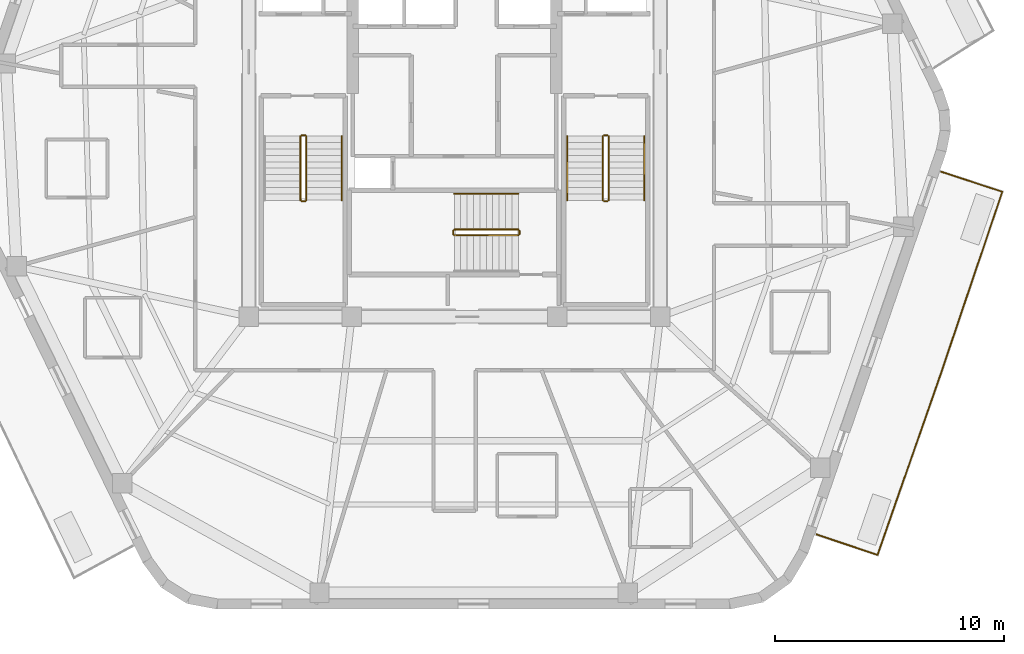
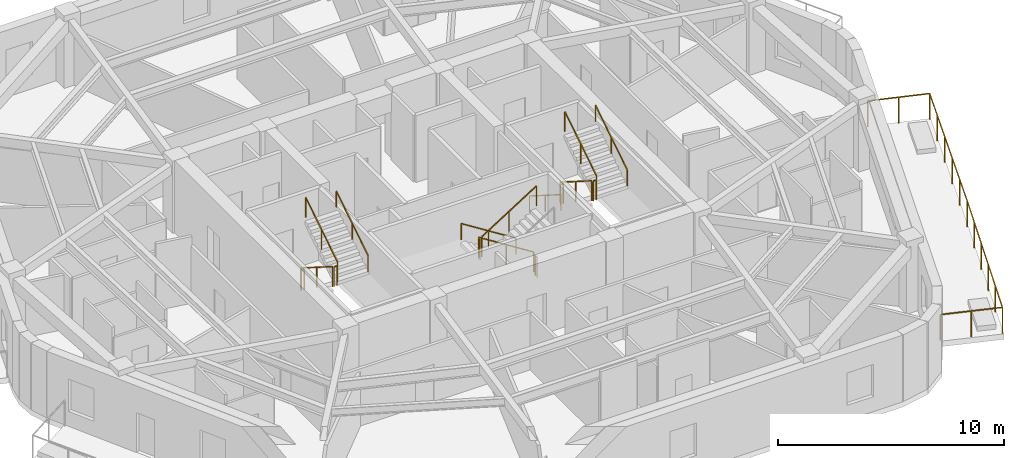
# One storey, part 8 of 9: 17 railings.
"""IFC4 building model written with IfcOpenShell, lengths in metres."""

from ifc_helpers import new_model, si_unit, direction, frame, origin, origin_2d, place, context, subcontext, project, spatial, rectangle, extrude, material, layer, layer_set, type_object, element, save


model = new_model("IFC4")

# Units and contexts
model_context = context("Model", 3, precision=1e-05, world=origin(), true_north=direction((0.0, 1.0)))
body_context = subcontext(model_context, "Body", "Model", "MODEL_VIEW")
ifc_project = project(units=[si_unit("LENGTHUNIT", "METRE"), si_unit("AREAUNIT", "SQUARE_METRE"), si_unit("VOLUMEUNIT", "CUBIC_METRE"), si_unit("PLANEANGLEUNIT", "RADIAN"), si_unit("MASSUNIT", "GRAM", prefix="KILO")], contexts=[model_context])

# Site, building, storey
site_placement = place(None, origin())
site = spatial("IfcSite", under=ifc_project, at=site_placement, CompositionType="ELEMENT")
building_placement = place(site_placement, origin())
building = spatial("IfcBuilding", under=site, at=building_placement, Name="Kilnhurst Terrace Hotel", CompositionType="ELEMENT")
storey_placement = place(building_placement, frame((0.0, 0.0, 273.0)))
storey = spatial("IfcBuildingStorey", under=building, at=storey_placement, Name="L68", CompositionType="ELEMENT", Elevation=273.0)

# Railings
ifc_material_1 = material(Name="Laminated SentryGlas and Stainless Steel AISI 316L Balustrade", Category="steel")
ifc_layer_1 = layer(ifc_material_1, 0.070068359375, Name="Laminated SentryGlas and Stainless Steel AISI 316L Balustrade")
ifc_layer_set_1 = layer_set([ifc_layer_1], Name="Laminated SentryGlas and Stainless Steel AISI 316L Balustrade")
railing_type_1 = type_object("IfcRailingType", Name="RLG-BAL-1420", PredefinedType="BALUSTRADE", material=ifc_layer_set_1)
railing_1_placement = place(storey_placement, frame((21.298828125, -1.166748046875, 0.0)))
element("IfcRailing", 1, at=railing_1_placement, inside=storey, type_object=railing_type_1, Name="L68 Exterior Terrace Guardrail BAL-L1A.1", PredefinedType="BALUSTRADE", context=body_context, shape_type="SweptSolid", body=[
    extrude(rectangle(XDim=0.048095703125, YDim=0.048095703125, at=origin_2d()), frame((0.0, 0.0, 1.39599609375), z_axis=(0.950394786916, -0.311046216827, 0.0), x_axis=(0.311046216827, 0.950394786916, 0.0)), (0.0, 0.0, 1.0), 2.80126953125),
    extrude(rectangle(XDim=0.048095703125, YDim=0.048095703125, at=origin_2d()), frame((2.662353515625, -0.871337890625, 1.39599609375), z_axis=(-0.319895813217, -0.94745272636, 0.0), x_axis=(0.94745272636, -0.319895813217, 0.0)), (0.0, 0.0, 1.0), 8.44091796875),
    extrude(rectangle(XDim=0.048095703125, YDim=0.048095703125, at=origin_2d()), frame((-0.037841796875, -8.86865234375, 1.39599609375), z_axis=(-0.329893619994, -0.944018113962, 0.0), x_axis=(0.944018113962, -0.329893619994, 0.0)), (0.0, 0.0, 1.0), 8.356689453125),
    extrude(rectangle(XDim=0.048095703125, YDim=0.048095703125, at=origin_2d()), frame((-2.794677734375, -16.757568359375, 1.39599609375), z_axis=(-0.948082201611, 0.318025374757, 0.0), x_axis=(-0.318025374757, -0.948082201611, 0.0)), (0.0, 0.0, 1.0), 2.810546875),
    extrude(rectangle(XDim=0.0419921875, YDim=0.0419921875, at=origin_2d()), origin(), (0.0, 0.0, 1.0), 1.371826171875),
    extrude(rectangle(XDim=0.0419921875, YDim=0.0419921875, at=origin_2d()), frame((1.3310546875, -0.435546875, 0.0)), (0.0, 0.0, 1.0), 1.371826171875),
    extrude(rectangle(XDim=0.0419921875, YDim=0.0419921875, at=origin_2d()), frame((2.662353515625, -0.871337890625, 0.0)), (0.0, 0.0, 1.0), 1.371826171875),
    extrude(rectangle(XDim=0.0419921875, YDim=0.0419921875, at=origin_2d()), frame((2.122314453125, -2.470703125, 0.0)), (0.0, 0.0, 1.0), 1.371826171875),
    extrude(rectangle(XDim=0.0419921875, YDim=0.0419921875, at=origin_2d()), frame((1.582275390625, -4.0703125, 0.0)), (0.0, 0.0, 1.0), 1.371826171875),
    extrude(rectangle(XDim=0.0419921875, YDim=0.0419921875, at=origin_2d()), frame((1.042236328125, -5.669677734375, 0.0)), (0.0, 0.0, 1.0), 1.371826171875),
    extrude(rectangle(XDim=0.0419921875, YDim=0.0419921875, at=origin_2d()), frame((0.502197265625, -7.269287109375, 0.0)), (0.0, 0.0, 1.0), 1.371826171875),
    extrude(rectangle(XDim=0.0419921875, YDim=0.0419921875, at=origin_2d()), frame((-0.037841796875, -8.86865234375, 0.0)), (0.0, 0.0, 1.0), 1.371826171875),
    extrude(rectangle(XDim=0.0419921875, YDim=0.0419921875, at=origin_2d()), frame((-0.589111328125, -10.446533203125, 0.0)), (0.0, 0.0, 1.0), 1.371826171875),
    extrude(rectangle(XDim=0.0419921875, YDim=0.0419921875, at=origin_2d()), frame((-1.140625, -12.024169921875, 0.0)), (0.0, 0.0, 1.0), 1.371826171875),
    extrude(rectangle(XDim=0.0419921875, YDim=0.0419921875, at=origin_2d()), frame((-1.69189453125, -13.60205078125, 0.0)), (0.0, 0.0, 1.0), 1.371826171875),
    extrude(rectangle(XDim=0.0419921875, YDim=0.0419921875, at=origin_2d()), frame((-2.243408203125, -15.1796875, 0.0)), (0.0, 0.0, 1.0), 1.371826171875),
    extrude(rectangle(XDim=0.0419921875, YDim=0.0419921875, at=origin_2d()), frame((-2.794677734375, -16.757568359375, 0.0)), (0.0, 0.0, 1.0), 1.371826171875),
    extrude(rectangle(XDim=0.0419921875, YDim=0.0419921875, at=origin_2d()), frame((-4.126953125, -16.310546875, 0.0)), (0.0, 0.0, 1.0), 1.371826171875),
    extrude(rectangle(XDim=0.0419921875, YDim=0.0419921875, at=origin_2d()), frame((-5.459228515625, -15.86376953125, 0.0)), (0.0, 0.0, 1.0), 1.371826171875),
])
ifc_material_2 = material(Name="Powder-Coated Steel ASTM A500 Grade B", Category="steel")
ifc_layer_2 = layer(ifc_material_2, 0.050048828125, Name="Powder-Coated Steel ASTM A500 Grade B")
ifc_layer_set_2 = layer_set([ifc_layer_2], Name="Powder-Coated Steel ASTM A500 Grade B")
railing_type_2 = type_object("IfcRailingType", Name="RLG-ST-GRD-1100", PredefinedType="GUARDRAIL", material=ifc_layer_set_2)
railing_2_placement = place(storey_placement, frame((-6.739990234375, 0.389892578125, 0.17724609375)))
element("IfcRailing", 2, at=railing_2_placement, inside=storey, type_object=railing_type_2, Name="L68 ST-1 stair guard 1", PredefinedType="GUARDRAIL", context=body_context, shape_type="SweptSolid", body=[
    extrude(rectangle(XDim=0.048095703125, YDim=0.048095703125, at=origin_2d()), frame((0.0, 0.0, 1.076171875), z_axis=(0.0, -0.844887892834, 0.53494340686), x_axis=(1.0, 0.0, 0.0)), (0.0, 0.0, 1.0), 3.313720703125),
    extrude(rectangle(XDim=0.0419921875, YDim=0.0419921875, at=origin_2d()), origin(), (0.0, 0.0, 1.0), 1.052001953125),
    extrude(rectangle(XDim=0.0419921875, YDim=0.0419921875, at=origin_2d()), frame((0.0, -1.39990234375, 0.88623046875)), (0.0, 0.0, 1.0), 1.052001953125),
    extrude(rectangle(XDim=0.0419921875, YDim=0.0419921875, at=origin_2d()), frame((0.0, -2.7998046875, 1.772705078125)), (0.0, 0.0, 1.0), 1.052001953125),
])
railing_3_placement = place(storey_placement, frame((-6.68994140625, -2.4599609375, 1.949951171875)))
element("IfcRailing", 3, at=railing_3_placement, inside=storey, type_object=railing_type_2, Name="L68 ST-1 stair guard 2", PredefinedType="GUARDRAIL", context=body_context, shape_type="SweptSolid", body=[
    extrude(rectangle(XDim=0.048095703125, YDim=0.048095703125, at=origin_2d()), frame((0.0, 0.0, 1.076171875), z_axis=(1.0, 0.0, 0.0), x_axis=(0.0, 1.0, 0.0)), (0.0, 0.0, 1.0), 0.14990234375),
    extrude(rectangle(XDim=0.0419921875, YDim=0.0419921875, at=origin_2d()), origin(), (0.0, 0.0, 1.0), 1.052001953125),
    extrude(rectangle(XDim=0.0419921875, YDim=0.0419921875, at=origin_2d()), frame((0.14990234375, 0.0, 0.0)), (0.0, 0.0, 1.0), 1.052001953125),
])
railing_4_placement = place(storey_placement, frame((-6.489990234375, -2.409912109375, 2.127197265625)))
element("IfcRailing", 4, at=railing_4_placement, inside=storey, type_object=railing_type_2, Name="L68 ST-1 stair guard 3", PredefinedType="GUARDRAIL", context=body_context, shape_type="SweptSolid", body=[
    extrude(rectangle(XDim=0.048095703125, YDim=0.048095703125, at=origin_2d()), frame((0.0, 0.0, 1.076171875), z_axis=(0.0, 0.844887892834, 0.53494340686), x_axis=(-1.0, 0.0, 0.0)), (0.0, 0.0, 1.0), 3.313720703125),
    extrude(rectangle(XDim=0.0419921875, YDim=0.0419921875, at=origin_2d()), origin(), (0.0, 0.0, 1.0), 1.052001953125),
    extrude(rectangle(XDim=0.0419921875, YDim=0.0419921875, at=origin_2d()), frame((0.0, 1.39990234375, 0.88623046875)), (0.0, 0.0, 1.0), 1.052001953125),
    extrude(rectangle(XDim=0.0419921875, YDim=0.0419921875, at=origin_2d()), frame((0.0, 2.7998046875, 1.772705078125)), (0.0, 0.0, 1.0), 1.052001953125),
])
railing_5_placement = place(storey_placement, frame((-6.68994140625, 0.43994140625, 0.0)))
element("IfcRailing", 5, at=railing_5_placement, inside=storey, type_object=railing_type_2, Name="L68 ST-1 stair guard 4", PredefinedType="GUARDRAIL", context=body_context, shape_type="SweptSolid", body=[
    extrude(rectangle(XDim=0.048095703125, YDim=0.048095703125, at=origin_2d()), frame((0.0, 0.0, 1.076171875), z_axis=(1.0, 0.0, 0.0), x_axis=(0.0, 1.0, 0.0)), (0.0, 0.0, 1.0), 0.14990234375),
    extrude(rectangle(XDim=0.0419921875, YDim=0.0419921875, at=origin_2d()), origin(), (0.0, 0.0, 1.0), 1.052001953125),
    extrude(rectangle(XDim=0.0419921875, YDim=0.0419921875, at=origin_2d()), frame((0.14990234375, 0.0, 0.0)), (0.0, 0.0, 1.0), 1.052001953125),
])
railing_6_placement = place(storey_placement, frame((6.489990234375, 0.389892578125, 0.17724609375)))
element("IfcRailing", 6, at=railing_6_placement, inside=storey, type_object=railing_type_2, Name="L68 ST-2 stair guard 1", PredefinedType="GUARDRAIL", context=body_context, shape_type="SweptSolid", body=[
    extrude(rectangle(XDim=0.048095703125, YDim=0.048095703125, at=origin_2d()), frame((0.0, 0.0, 1.076171875), z_axis=(0.0, -0.844887892834, 0.53494340686), x_axis=(1.0, 0.0, 0.0)), (0.0, 0.0, 1.0), 3.313720703125),
    extrude(rectangle(XDim=0.0419921875, YDim=0.0419921875, at=origin_2d()), origin(), (0.0, 0.0, 1.0), 1.052001953125),
    extrude(rectangle(XDim=0.0419921875, YDim=0.0419921875, at=origin_2d()), frame((0.0, -1.39990234375, 0.88623046875)), (0.0, 0.0, 1.0), 1.052001953125),
    extrude(rectangle(XDim=0.0419921875, YDim=0.0419921875, at=origin_2d()), frame((0.0, -2.7998046875, 1.772705078125)), (0.0, 0.0, 1.0), 1.052001953125),
])
railing_7_placement = place(storey_placement, frame((6.5400390625, -2.4599609375, 1.949951171875)))
element("IfcRailing", 7, at=railing_7_placement, inside=storey, type_object=railing_type_2, Name="L68 ST-2 stair guard 2", PredefinedType="GUARDRAIL", context=body_context, shape_type="SweptSolid", body=[
    extrude(rectangle(XDim=0.048095703125, YDim=0.048095703125, at=origin_2d()), frame((0.0, 0.0, 1.076171875), z_axis=(1.0, 0.0, 0.0), x_axis=(0.0, 1.0, 0.0)), (0.0, 0.0, 1.0), 0.14990234375),
    extrude(rectangle(XDim=0.0419921875, YDim=0.0419921875, at=origin_2d()), origin(), (0.0, 0.0, 1.0), 1.052001953125),
    extrude(rectangle(XDim=0.0419921875, YDim=0.0419921875, at=origin_2d()), frame((0.14990234375, 0.0, 0.0)), (0.0, 0.0, 1.0), 1.052001953125),
])
railing_8_placement = place(storey_placement, frame((6.739990234375, -2.409912109375, 2.127197265625)))
element("IfcRailing", 8, at=railing_8_placement, inside=storey, type_object=railing_type_2, Name="L68 ST-2 stair guard 3", PredefinedType="GUARDRAIL", context=body_context, shape_type="SweptSolid", body=[
    extrude(rectangle(XDim=0.048095703125, YDim=0.048095703125, at=origin_2d()), frame((0.0, 0.0, 1.076171875), z_axis=(0.0, 0.844887892834, 0.53494340686), x_axis=(-1.0, 0.0, 0.0)), (0.0, 0.0, 1.0), 3.313720703125),
    extrude(rectangle(XDim=0.0419921875, YDim=0.0419921875, at=origin_2d()), origin(), (0.0, 0.0, 1.0), 1.052001953125),
    extrude(rectangle(XDim=0.0419921875, YDim=0.0419921875, at=origin_2d()), frame((0.0, 1.39990234375, 0.88623046875)), (0.0, 0.0, 1.0), 1.052001953125),
    extrude(rectangle(XDim=0.0419921875, YDim=0.0419921875, at=origin_2d()), frame((0.0, 2.7998046875, 1.772705078125)), (0.0, 0.0, 1.0), 1.052001953125),
])
railing_9_placement = place(storey_placement, frame((6.5400390625, 0.43994140625, 0.0)))
element("IfcRailing", 9, at=railing_9_placement, inside=storey, type_object=railing_type_2, Name="L68 ST-2 stair guard 4", PredefinedType="GUARDRAIL", context=body_context, shape_type="SweptSolid", body=[
    extrude(rectangle(XDim=0.048095703125, YDim=0.048095703125, at=origin_2d()), frame((0.0, 0.0, 1.076171875), z_axis=(1.0, 0.0, 0.0), x_axis=(0.0, 1.0, 0.0)), (0.0, 0.0, 1.0), 0.14990234375),
    extrude(rectangle(XDim=0.0419921875, YDim=0.0419921875, at=origin_2d()), origin(), (0.0, 0.0, 1.0), 1.052001953125),
    extrude(rectangle(XDim=0.0419921875, YDim=0.0419921875, at=origin_2d()), frame((0.14990234375, 0.0, 0.0)), (0.0, 0.0, 1.0), 1.052001953125),
])
railing_10_placement = place(storey_placement, frame((2.7900390625, -3.68994140625, 0.17724609375)))
element("IfcRailing", 10, at=railing_10_placement, inside=storey, type_object=railing_type_2, Name="L68 ST-3 stair guard 1", PredefinedType="GUARDRAIL", context=body_context, shape_type="SweptSolid", body=[
    extrude(rectangle(XDim=0.048095703125, YDim=0.048095703125, at=origin_2d()), frame((0.0, 0.0, 1.076171875), z_axis=(-0.844908973607, 0.0, 0.534910110503), x_axis=(0.0, -1.0, 0.0)), (0.0, 0.0, 1.0), 3.31396484375),
    extrude(rectangle(XDim=0.0419921875, YDim=0.0419921875, at=origin_2d()), origin(), (0.0, 0.0, 1.0), 1.052001953125),
    extrude(rectangle(XDim=0.0419921875, YDim=0.0419921875, at=origin_2d()), frame((-1.39990234375, 0.0, 0.88623046875)), (0.0, 0.0, 1.0), 1.052001953125),
    extrude(rectangle(XDim=0.0419921875, YDim=0.0419921875, at=origin_2d()), frame((-2.800048828125, 0.0, 1.772705078125)), (0.0, 0.0, 1.0), 1.052001953125),
])
railing_11_placement = place(storey_placement, frame((-0.06005859375, -3.739990234375, 1.949951171875)))
element("IfcRailing", 11, at=railing_11_placement, inside=storey, type_object=railing_type_2, Name="L68 ST-3 stair guard 2", PredefinedType="GUARDRAIL", context=body_context, shape_type="SweptSolid", body=[
    extrude(rectangle(XDim=0.048095703125, YDim=0.048095703125, at=origin_2d()), frame((0.0, 0.0, 1.076171875), z_axis=(0.0, -1.0, 0.0), x_axis=(1.0, 0.0, 0.0)), (0.0, 0.0, 1.0), 0.14990234375),
    extrude(rectangle(XDim=0.0419921875, YDim=0.0419921875, at=origin_2d()), origin(), (0.0, 0.0, 1.0), 1.052001953125),
    extrude(rectangle(XDim=0.0419921875, YDim=0.0419921875, at=origin_2d()), frame((0.0, -0.14990234375, 0.0)), (0.0, 0.0, 1.0), 1.052001953125),
])
railing_12_placement = place(storey_placement, frame((-0.010009765625, -3.93994140625, 2.127197265625)))
element("IfcRailing", 12, at=railing_12_placement, inside=storey, type_object=railing_type_2, Name="L68 ST-3 stair guard 3", PredefinedType="GUARDRAIL", context=body_context, shape_type="SweptSolid", body=[
    extrude(rectangle(XDim=0.048095703125, YDim=0.048095703125, at=origin_2d()), frame((0.0, 0.0, 1.076171875), z_axis=(0.844908973607, 0.0, 0.534910110503), x_axis=(0.0, 1.0, 0.0)), (0.0, 0.0, 1.0), 3.31396484375),
    extrude(rectangle(XDim=0.0419921875, YDim=0.0419921875, at=origin_2d()), origin(), (0.0, 0.0, 1.0), 1.052001953125),
    extrude(rectangle(XDim=0.0419921875, YDim=0.0419921875, at=origin_2d()), frame((1.39990234375, 0.0, 0.88623046875)), (0.0, 0.0, 1.0), 1.052001953125),
    extrude(rectangle(XDim=0.0419921875, YDim=0.0419921875, at=origin_2d()), frame((2.800048828125, 0.0, 1.772705078125)), (0.0, 0.0, 1.0), 1.052001953125),
])
railing_13_placement = place(storey_placement, frame((2.840087890625, -3.739990234375, 0.0)))
element("IfcRailing", 13, at=railing_13_placement, inside=storey, type_object=railing_type_2, Name="L68 ST-3 stair guard 4", PredefinedType="GUARDRAIL", context=body_context, shape_type="SweptSolid", body=[
    extrude(rectangle(XDim=0.048095703125, YDim=0.048095703125, at=origin_2d()), frame((0.0, 0.0, 1.076171875), z_axis=(0.0, -1.0, 0.0), x_axis=(1.0, 0.0, 0.0)), (0.0, 0.0, 1.0), 0.14990234375),
    extrude(rectangle(XDim=0.0419921875, YDim=0.0419921875, at=origin_2d()), origin(), (0.0, 0.0, 1.0), 1.052001953125),
    extrude(rectangle(XDim=0.0419921875, YDim=0.0419921875, at=origin_2d()), frame((0.0, -0.14990234375, 0.0)), (0.0, 0.0, 1.0), 1.052001953125),
])
ifc_material_3 = material(Name="Brushed Stainless Steel AISI 304", Category="steel")
ifc_layer_3 = layer(ifc_material_3, 0.048095703125, Name="Brushed Stainless Steel AISI 304")
ifc_layer_set_3 = layer_set([ifc_layer_3], Name="Brushed Stainless Steel AISI 304")
railing_type_3 = type_object("IfcRailingType", Name="RLG-ST-HRL-900", PredefinedType="HANDRAIL", material=ifc_layer_set_3)
railing_14_placement = place(storey_placement, frame((-4.929931640625, -2.409912109375, 2.127197265625)))
element("IfcRailing", 14, at=railing_14_placement, inside=storey, type_object=railing_type_3, Name="L68 ST-1 stair handrail 2", PredefinedType="HANDRAIL", context=body_context, shape_type="SweptSolid", body=[
    extrude(rectangle(XDim=0.048095703125, YDim=0.048095703125, at=origin_2d()), frame((0.0, 0.0, 0.8759765625), z_axis=(0.0, 0.844887892834, 0.53494340686), x_axis=(-1.0, 0.0, 0.0)), (0.0, 0.0, 1.0), 3.313720703125),
    extrude(rectangle(XDim=0.0419921875, YDim=0.0419921875, at=origin_2d()), origin(), (0.0, 0.0, 1.0), 0.851806640625),
    extrude(rectangle(XDim=0.0419921875, YDim=0.0419921875, at=origin_2d()), frame((0.0, 1.39990234375, 0.88623046875)), (0.0, 0.0, 1.0), 0.851806640625),
    extrude(rectangle(XDim=0.0419921875, YDim=0.0419921875, at=origin_2d()), frame((0.0, 2.7998046875, 1.772705078125)), (0.0, 0.0, 1.0), 0.851806640625),
])
railing_15_placement = place(storey_placement, frame((4.929931640625, 0.389892578125, 0.17724609375)))
element("IfcRailing", 15, at=railing_15_placement, inside=storey, type_object=railing_type_3, Name="L68 ST-2 stair handrail 1", PredefinedType="HANDRAIL", context=body_context, shape_type="SweptSolid", body=[
    extrude(rectangle(XDim=0.048095703125, YDim=0.048095703125, at=origin_2d()), frame((0.0, 0.0, 0.8759765625), z_axis=(0.0, -0.844887892834, 0.53494340686), x_axis=(1.0, 0.0, 0.0)), (0.0, 0.0, 1.0), 3.313720703125),
    extrude(rectangle(XDim=0.0419921875, YDim=0.0419921875, at=origin_2d()), origin(), (0.0, 0.0, 1.0), 0.851806640625),
    extrude(rectangle(XDim=0.0419921875, YDim=0.0419921875, at=origin_2d()), frame((0.0, -1.39990234375, 0.88623046875)), (0.0, 0.0, 1.0), 0.851806640625),
    extrude(rectangle(XDim=0.0419921875, YDim=0.0419921875, at=origin_2d()), frame((0.0, -2.7998046875, 1.772705078125)), (0.0, 0.0, 1.0), 0.851806640625),
])
railing_16_placement = place(storey_placement, frame((8.300048828125, -2.409912109375, 2.127197265625)))
element("IfcRailing", 16, at=railing_16_placement, inside=storey, type_object=railing_type_3, Name="L68 ST-2 stair handrail 2", PredefinedType="HANDRAIL", context=body_context, shape_type="SweptSolid", body=[
    extrude(rectangle(XDim=0.048095703125, YDim=0.048095703125, at=origin_2d()), frame((0.0, 0.0, 0.8759765625), z_axis=(0.0, 0.844887892834, 0.53494340686), x_axis=(-1.0, 0.0, 0.0)), (0.0, 0.0, 1.0), 3.313720703125),
    extrude(rectangle(XDim=0.0419921875, YDim=0.0419921875, at=origin_2d()), origin(), (0.0, 0.0, 1.0), 0.851806640625),
    extrude(rectangle(XDim=0.0419921875, YDim=0.0419921875, at=origin_2d()), frame((0.0, 1.39990234375, 0.88623046875)), (0.0, 0.0, 1.0), 0.851806640625),
    extrude(rectangle(XDim=0.0419921875, YDim=0.0419921875, at=origin_2d()), frame((0.0, 2.7998046875, 1.772705078125)), (0.0, 0.0, 1.0), 0.851806640625),
])
railing_17_placement = place(storey_placement, frame((2.7900390625, -2.1298828125, 0.17724609375)))
element("IfcRailing", 17, at=railing_17_placement, inside=storey, type_object=railing_type_3, Name="L68 ST-3 stair handrail 1", PredefinedType="HANDRAIL", context=body_context, shape_type="SweptSolid", body=[
    extrude(rectangle(XDim=0.048095703125, YDim=0.048095703125, at=origin_2d()), frame((0.0, 0.0, 0.8759765625), z_axis=(-0.844908973607, 0.0, 0.534910110503), x_axis=(0.0, -1.0, 0.0)), (0.0, 0.0, 1.0), 3.31396484375),
    extrude(rectangle(XDim=0.0419921875, YDim=0.0419921875, at=origin_2d()), origin(), (0.0, 0.0, 1.0), 0.851806640625),
    extrude(rectangle(XDim=0.0419921875, YDim=0.0419921875, at=origin_2d()), frame((-1.39990234375, 0.0, 0.88623046875)), (0.0, 0.0, 1.0), 0.851806640625),
    extrude(rectangle(XDim=0.0419921875, YDim=0.0419921875, at=origin_2d()), frame((-2.800048828125, 0.0, 1.772705078125)), (0.0, 0.0, 1.0), 0.851806640625),
])

save(model, "model.ifc")
